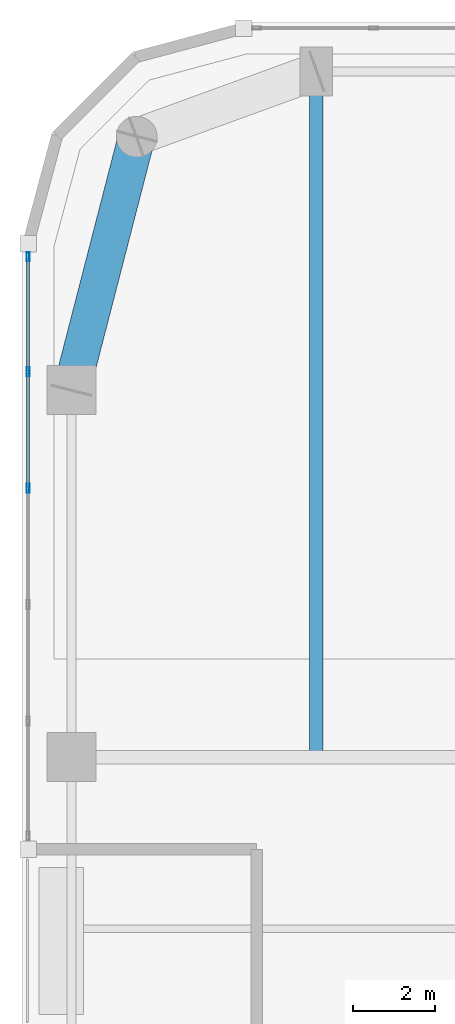
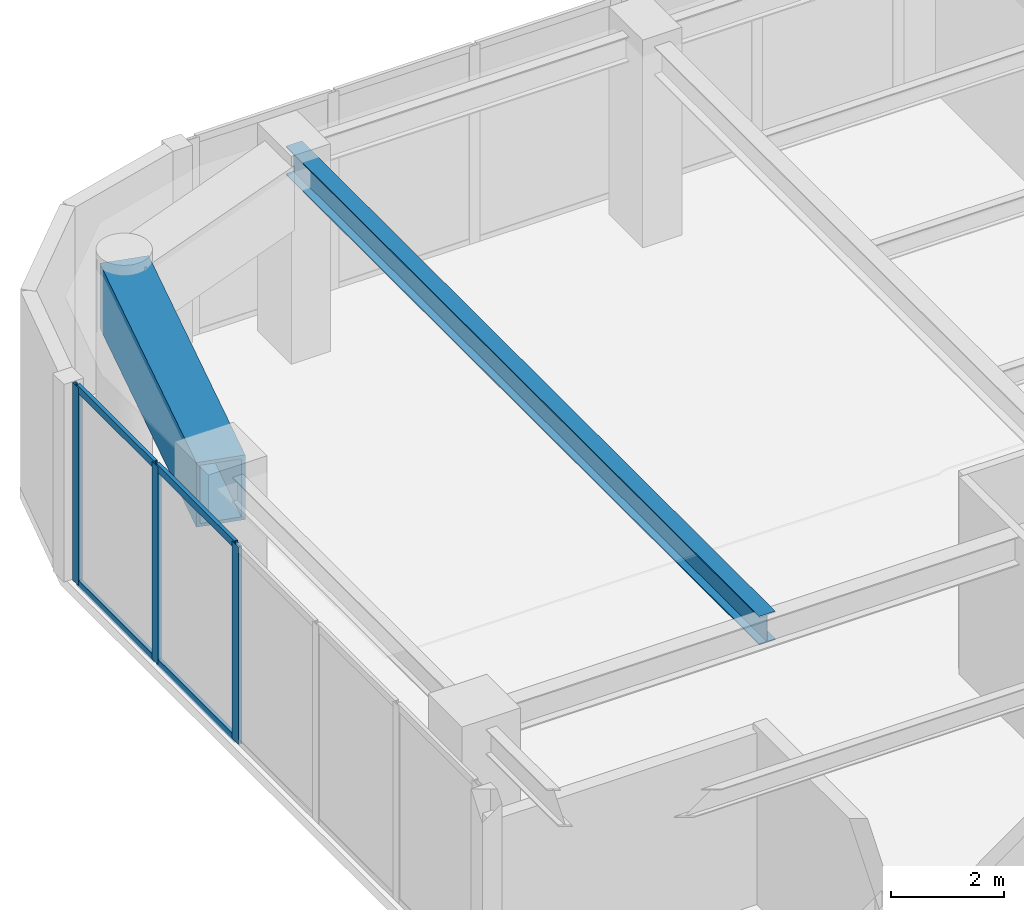
# One storey, part 7 of 21: 7 members, 2 beams, 1 element without a shape of its own.
"""IFC4 building model written with IfcOpenShell, lengths in metres."""

from ifc_helpers import new_model, si_unit, direction, frame, origin, origin_2d, place, context, subcontext, project, spatial, hollow_rectangle, i_section, extrude, material, layer, layer_set, material_profile, profile_set, type_object, element, aggregate, save


model = new_model("IFC4")

# Units and contexts
model_context = context("Model", 3, precision=1e-05, world=origin(), true_north=direction((0.0, 1.0)))
body_context = subcontext(model_context, "Body", "Model", "MODEL_VIEW")
ifc_project = project(units=[si_unit("LENGTHUNIT", "METRE"), si_unit("AREAUNIT", "SQUARE_METRE"), si_unit("VOLUMEUNIT", "CUBIC_METRE"), si_unit("PLANEANGLEUNIT", "RADIAN"), si_unit("MASSUNIT", "GRAM", prefix="KILO")], contexts=[model_context])

# Site, building, storey
site_placement = place(None, origin())
site = spatial("IfcSite", under=ifc_project, at=site_placement, CompositionType="ELEMENT")
building_placement = place(site_placement, origin())
building = spatial("IfcBuilding", under=site, at=building_placement, Name="Kiyonajd Concourse Tower", CompositionType="ELEMENT")
storey_placement = place(building_placement, frame((0.0, 0.0, 181.800048828125)))
storey = spatial("IfcBuildingStorey", under=building, at=storey_placement, Name="L46", CompositionType="ELEMENT", Elevation=181.800048828125)

# Beams
ifc_material_1 = material(Name="Steel ASTM A992 Grade 50", Category="steel")
ifc_material_profile_1 = material_profile(ifc_material_1, i_section(OverallWidth=0.326904296875, OverallDepth=0.6220703125, WebThickness=0.015380859375, FlangeThickness=0.0244140625, at=origin_2d()), Name="W610X195")
ifc_profile_set_1 = profile_set([ifc_material_profile_1], Name="Steel ASTM A992 Grade 50")
beam_type_1 = type_object("IfcBeamType", Name="BM-TWR-610A", PredefinedType="BEAM", material=ifc_profile_set_1)
beam_1_placement = place(storey_placement, frame((25.199951171875, 44.39990234375, 3.968994140625), z_axis=(0.0, 1.0, 0.0), x_axis=(-1.0, 0.0, 0.0)))
element("IfcBeam", 1, at=beam_1_placement, inside=storey, type_object=beam_type_1, Name="L46 North Lease Girder", PredefinedType="BEAM", context=body_context, shape_type="SweptSolid", body=[
    extrude(i_section(OverallWidth=0.326904296875, OverallDepth=0.6220703125, WebThickness=0.015380859375, FlangeThickness=0.0244140625, at=origin_2d()), origin(), (0.0, 0.0, 1.0), 16.800048828125),
])
ifc_material_2 = material(Name="Steel ASTM A572 Grade 50", Category="steel")
ifc_material_profile_2 = material_profile(ifc_material_2, hollow_rectangle(XDim=0.89990234375, YDim=1.39990234375, WallThickness=0.070068359375, at=origin_2d()), Name="BOX-1400x900x70")
ifc_profile_set_2 = profile_set([ifc_material_profile_2], Name="Steel ASTM A572 Grade 50")
beam_type_2 = type_object("IfcBeamType", Name="BM-XFER-1400", PredefinedType="BEAM", material=ifc_profile_set_2)
beam_2_placement = place(storey_placement, frame((20.800048828125, 59.60009765625, 3.579833984375), z_axis=(-0.249884937687, -0.968275538221, 0.0), x_axis=(0.968275538221, -0.249884937687, 0.0)))
element("IfcBeam", 2, at=beam_2_placement, inside=storey, type_object=beam_type_2, Name="L46 Perimeter Bundled Tube Spandrel", PredefinedType="BEAM", context=body_context, shape_type="SweptSolid", body=[
    extrude(hollow_rectangle(XDim=0.89990234375, YDim=1.39990234375, WallThickness=0.070068359375, at=origin_2d()), origin(), (0.0, 0.0, 1.0), 6.4033203125),
])

# Curtain wall, members
ifc_material_3 = material(Name="Thermally Broken Anodised Aluminium", Category="aluminium")
ifc_layer = layer(ifc_material_3, 0.179931640625)
ifc_layer_set = layer_set([ifc_layer], Name="Thermally Broken Anodised Aluminium")
curtain_wall_type = type_object("IfcCurtainWallType", Name="CW-SYS-05", PredefinedType="NOTDEFINED", material=ifc_layer_set)
curtain_wall_placement = place(storey_placement, origin())
curtain_wall = element("IfcCurtainWall", 3, at=curtain_wall_placement, inside=storey, type_object=curtain_wall_type, Name="L46 Unitised Curtain Wall CW5", PredefinedType="NOTDEFINED")
ifc_material_profile_3 = material_profile(ifc_material_3, hollow_rectangle(XDim=0.074951171875, YDim=0.219970703125, WallThickness=0.0048828125, at=origin_2d()), Name="MULL-75x220")
ifc_profile_set_3 = profile_set([ifc_material_profile_3], Name="Thermally Broken Anodised Aluminium")
member_type_1 = type_object("IfcMemberType", Name="MB-CW-MULL2", PredefinedType="MULLION", material=ifc_profile_set_3)
member_1_placement = place(storey_placement, frame((18.139892578125, 50.987060546875, 0.0), z_axis=(0.0, 0.0, 1.0), x_axis=(-1.0, 0.0, 0.0)))
member_1 = element("IfcMember", 4, at=member_1_placement, type_object=member_type_1, Name="CW5 mullion 4", PredefinedType="MULLION", context=body_context, shape_type="SweptSolid", body=[
    extrude(hollow_rectangle(XDim=0.074951171875, YDim=0.219970703125, WallThickness=0.0048828125, at=origin_2d()), origin(), (0.0, 0.0, 1.0), 4.280029296875),
])
member_2_placement = place(storey_placement, frame((18.139892578125, 53.83935546875, 0.0), z_axis=(0.0, 0.0, 1.0), x_axis=(-1.0, 0.0, 0.0)))
member_2 = element("IfcMember", 5, at=member_2_placement, type_object=member_type_1, Name="CW5 mullion 5", PredefinedType="MULLION", context=body_context, shape_type="SweptSolid", body=[
    extrude(hollow_rectangle(XDim=0.074951171875, YDim=0.219970703125, WallThickness=0.0048828125, at=origin_2d()), origin(), (0.0, 0.0, 1.0), 4.280029296875),
])
member_3_placement = place(storey_placement, frame((18.139892578125, 56.654052734375, 0.0), z_axis=(0.0, 0.0, 1.0), x_axis=(-1.0, 0.0, 0.0)))
member_3 = element("IfcMember", 6, at=member_3_placement, type_object=member_type_1, Name="CW5 mullion 6", PredefinedType="MULLION", context=body_context, shape_type="SweptSolid", body=[
    extrude(hollow_rectangle(XDim=0.074951171875, YDim=0.219970703125, WallThickness=0.0048828125, at=origin_2d()), origin(), (0.0, 0.0, 1.0), 4.280029296875),
])
ifc_material_profile_4 = material_profile(ifc_material_3, hollow_rectangle(XDim=0.074951171875, YDim=0.159912109375, WallThickness=0.0048828125, at=origin_2d()), Name="TRAN-75x160")
ifc_profile_set_4 = profile_set([ifc_material_profile_4], Name="Thermally Broken Anodised Aluminium")
member_type_2 = type_object("IfcMemberType", Name="MB-CW-TRAN2", PredefinedType="USERDEFINED", material=ifc_profile_set_4)
member_4_placement = place(storey_placement, frame((18.139892578125, 51.0244140625, 0.037353515625), z_axis=(0.0, 1.0, 0.0), x_axis=(-1.0, 0.0, 0.0)))
member_4 = element("IfcMember", 7, at=member_4_placement, type_object=member_type_2, Name="CW5 transom 4.1", ObjectType="TRANSOM", PredefinedType="USERDEFINED", context=body_context, shape_type="SweptSolid", body=[
    extrude(hollow_rectangle(XDim=0.074951171875, YDim=0.159912109375, WallThickness=0.0048828125, at=origin_2d()), origin(), (0.0, 0.0, 1.0), 2.77734375),
])
member_5_placement = place(storey_placement, frame((18.139892578125, 51.0244140625, 4.242431640625), z_axis=(0.0, 1.0, 0.0), x_axis=(-1.0, 0.0, 0.0)))
member_5 = element("IfcMember", 8, at=member_5_placement, type_object=member_type_2, Name="CW5 transom 4.2", ObjectType="TRANSOM", PredefinedType="USERDEFINED", context=body_context, shape_type="SweptSolid", body=[
    extrude(hollow_rectangle(XDim=0.074951171875, YDim=0.159912109375, WallThickness=0.0048828125, at=origin_2d()), origin(), (0.0, 0.0, 1.0), 2.77734375),
])
member_6_placement = place(storey_placement, frame((18.139892578125, 53.876708984375, 0.037353515625), z_axis=(0.0, 1.0, 0.0), x_axis=(-1.0, 0.0, 0.0)))
member_6 = element("IfcMember", 9, at=member_6_placement, type_object=member_type_2, Name="CW5 transom 5.1", ObjectType="TRANSOM", PredefinedType="USERDEFINED", context=body_context, shape_type="SweptSolid", body=[
    extrude(hollow_rectangle(XDim=0.074951171875, YDim=0.159912109375, WallThickness=0.0048828125, at=origin_2d()), origin(), (0.0, 0.0, 1.0), 2.739990234375),
])
member_7_placement = place(storey_placement, frame((18.139892578125, 53.876708984375, 4.242431640625), z_axis=(0.0, 1.0, 0.0), x_axis=(-1.0, 0.0, 0.0)))
member_7 = element("IfcMember", 10, at=member_7_placement, type_object=member_type_2, Name="CW5 transom 5.2", ObjectType="TRANSOM", PredefinedType="USERDEFINED", context=body_context, shape_type="SweptSolid", body=[
    extrude(hollow_rectangle(XDim=0.074951171875, YDim=0.159912109375, WallThickness=0.0048828125, at=origin_2d()), origin(), (0.0, 0.0, 1.0), 2.739990234375),
])
aggregate(curtain_wall, [member_1, member_2, member_3, member_4, member_5, member_6, member_7])

save(model, "model.ifc")
